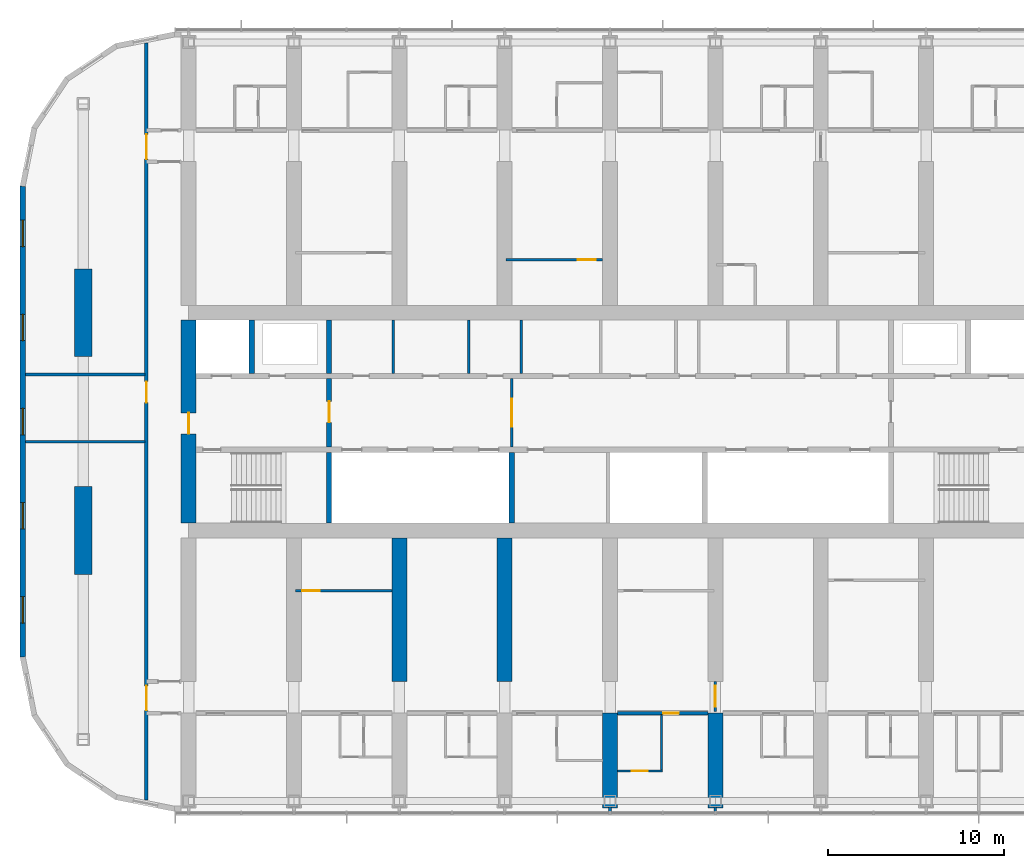
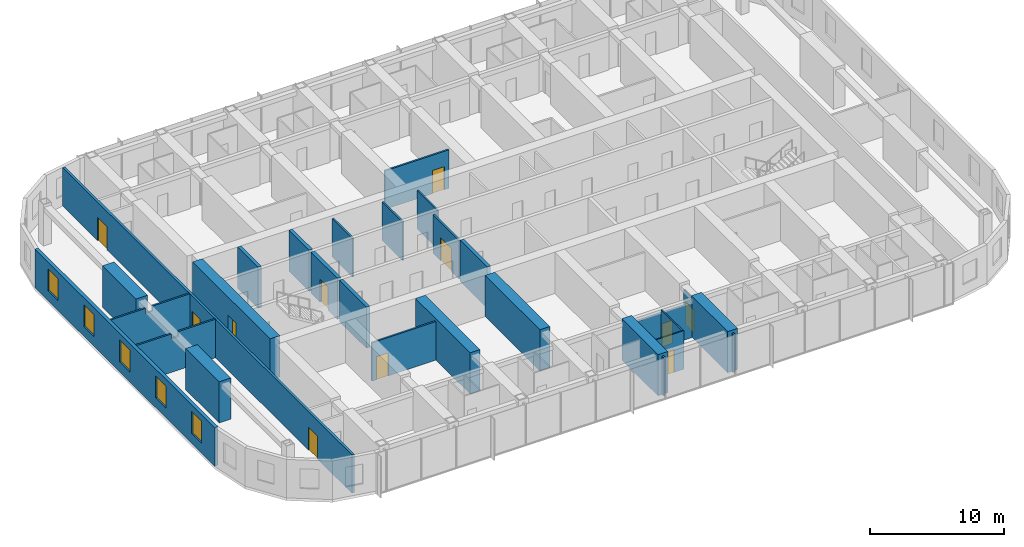
# One storey, part 11 of 22: 28 walls, 11 doors, 5 windows, 16 openings.
"""IFC4 building model written with IfcOpenShell, lengths in metres."""

from ifc_helpers import new_model, si_unit, direction, frame, frame_2d, origin, place, context, subcontext, project, spatial, polyline, rectangle, outline, extrude, material, layer, layer_set, type_object, element, fill, save


model = new_model("IFC4")

# Units and contexts
model_context = context("Model", 3, precision=1e-05, world=origin(), true_north=direction((0.0, 1.0)))
body_context = subcontext(model_context, "Body", "Model", "MODEL_VIEW")
ifc_project = project(units=[si_unit("LENGTHUNIT", "METRE"), si_unit("AREAUNIT", "SQUARE_METRE"), si_unit("VOLUMEUNIT", "CUBIC_METRE"), si_unit("PLANEANGLEUNIT", "RADIAN"), si_unit("MASSUNIT", "GRAM", prefix="KILO")], contexts=[model_context])

# Site, building, storey
site_placement = place(None, origin())
site = spatial("IfcSite", under=ifc_project, at=site_placement, CompositionType="ELEMENT")
building_placement = place(site_placement, origin())
building = spatial("IfcBuilding", under=site, at=building_placement, Name="Orbita Commons", CompositionType="ELEMENT")
storey_placement = place(building_placement, frame((0.0, 0.0, 186.10009765625)))
storey = spatial("IfcBuildingStorey", under=building, at=storey_placement, Name="L46", CompositionType="ELEMENT", Elevation=186.10009765625)

# Wall
ifc_material_1 = material(Name="Concrete C50/60", Category="concrete")
ifc_layer_1 = layer(ifc_material_1, 0.300048828125)
ifc_layer_set_1 = layer_set([ifc_layer_1], Name="Concrete C50/60")
wall_type_1 = type_object("IfcWallType", Name="Core inner wall 300 C50/60", PredefinedType="SHEAR", material=ifc_layer_set_1)
wall_1_placement = place(storey_placement, frame((26.0, 26.22509765625, 0.0), z_axis=(0.0, 0.0, 1.0), x_axis=(0.0, 1.0, 0.0)))
element("IfcWall", 1, at=wall_1_placement, inside=storey, type_object=wall_type_1, Name="Stair S1 wall L46", PredefinedType="SHEAR", context=body_context, shape_type="SweptSolid", body=[
    extrude(rectangle(XDim=4.02490234375, YDim=0.300048828125, at=frame_2d((2.012451171875, 0.0))), origin(), (0.0, 0.0, 1.0), 3.75),
])

# Wall, opening, door
wall_2_placement = place(storey_placement, frame((26.0, 30.550048828125, 0.0), z_axis=(0.0, 0.0, 1.0), x_axis=(0.0, 1.0, 0.0)))
wall_2 = element("IfcWall", 2, at=wall_2_placement, inside=storey, type_object=wall_type_1, Name="Firefighting lobby wall west L46", PredefinedType="SHEAR", context=body_context, shape_type="SweptSolid", body=[
    extrude(rectangle(XDim=3.89990234375, YDim=0.300048828125, at=frame_2d((1.949951171875, 0.0))), origin(), (0.0, 0.0, 1.0), 3.75),
])
opening_1_placement = place(wall_2_placement, frame((1.39990234375, 0.0, 0.0)))
opening_1 = element("IfcOpeningElement", 3, at=opening_1_placement, cuts=wall_2, Name="Opening D04", PredefinedType="OPENING", context=body_context, shape_type="SweptSolid", body=[
    extrude(rectangle(XDim=1.199951171875, YDim=2.10009765625, at=frame_2d((0.60009765625, 1.050048828125))), frame((0.0, 0.159912109375, 0.0), z_axis=(0.0, -1.0, 0.0), x_axis=(1.0, 0.0, 0.0)), (0.0, 0.0, 1.0), 0.320068359375),
])
ifc_material_2 = material(Name="Steel-faced fire door leaf", Category="steel")
door_type_1 = type_object("IfcDoorType", Name="Service door 20 min 1200x2100", OperationType="SINGLE_SWING_LEFT", PredefinedType="DOOR", material=ifc_material_2)
door_1_placement = place(opening_1_placement, origin())
door_1 = element("IfcDoor", 4, at=door_1_placement, inside=storey, type_object=door_type_1, Name="Lift lobby door west", OperationType="SINGLE_SWING_LEFT", OverallHeight=2.10009765625, OverallWidth=1.199951171875, PredefinedType="DOOR", context=body_context, shape_type="SweptSolid", body=[
    extrude(rectangle(XDim=1.199951171875, YDim=2.10009765625, at=frame_2d((0.60009765625, 1.050048828125))), frame((0.0, 0.02490234375, 0.0), z_axis=(0.0, -1.0, 0.0), x_axis=(1.0, 0.0, 0.0)), (0.0, 0.0, 1.0), 0.050048828125),
])
fill(opening_1, door_1)

# Walls
for number, where, z_axis, x_axis, name in (
    (5, (21.60009765625, 34.75, 0.0), (0.0, 0.0, 1.0), (0.0, 1.0, 0.0), "Firefighting lift FL1 shaft wall L46"),
    (6, (26.0, 34.75, 0.0), (0.0, 0.0, 1.0), (0.0, 1.0, 0.0), "Riser wall west L46"),
):
    element("IfcWall", number, at=place(storey_placement, frame(where, z_axis=z_axis, x_axis=x_axis)), inside=storey, type_object=wall_type_1, Name=name, PredefinedType="SHEAR", context=body_context, shape_type="SweptSolid", body=[
        extrude(rectangle(XDim=3.02490234375, YDim=0.300048828125, at=frame_2d((1.512451171875, 0.0))), origin(), (0.0, 0.0, 1.0), 3.75),
    ])
wall_3_placement = place(storey_placement, frame((36.39990234375, 26.22509765625, 0.0), z_axis=(0.0, 0.0, 1.0), x_axis=(0.0, 1.0, 0.0)))
element("IfcWall", 7, at=wall_3_placement, inside=storey, type_object=wall_type_1, Name="Hoistway division wall L46", PredefinedType="SHEAR", context=body_context, shape_type="SweptSolid", body=[
    extrude(rectangle(XDim=4.02490234375, YDim=0.300048828125, at=frame_2d((2.012451171875, 0.0))), origin(), (0.0, 0.0, 1.0), 3.75),
])

# Wall, opening, door
ifc_material_3 = material(Name="Concrete blockwork", Category="masonry")
ifc_layer_2 = layer(ifc_material_3, 0.14990234375)
ifc_layer_set_2 = layer_set([ifc_layer_2], Name="Concrete blockwork")
wall_type_2 = type_object("IfcWallType", Name="Core partition 150 blockwork", PredefinedType="SOLIDWALL", material=ifc_layer_set_2)
wall_4_placement = place(storey_placement, frame((36.39990234375, 30.550048828125, 0.0), z_axis=(0.0, 0.0, 1.0), x_axis=(0.0, 1.0, 0.0)))
wall_4 = element("IfcWall", 8, at=wall_4_placement, inside=storey, type_object=wall_type_2, Name="Core partition 150 blockwork L46", PredefinedType="SOLIDWALL", context=body_context, shape_type="SweptSolid", body=[
    extrude(rectangle(XDim=3.89990234375, YDim=0.14990234375, at=frame_2d((1.949951171875, 0.0))), origin(), (0.0, 0.0, 1.0), 3.5),
])
opening_2_placement = place(wall_4_placement, frame((1.14990234375, 0.0, 0.0)))
opening_2 = element("IfcOpeningElement", 9, at=opening_2_placement, cuts=wall_4, Name="Opening D10", PredefinedType="OPENING", context=body_context, shape_type="SweptSolid", body=[
    extrude(rectangle(XDim=1.60009765625, YDim=2.10009765625, at=frame_2d((0.800048828125, 1.050048828125))), frame((0.0, 0.0849609375, 0.0), z_axis=(0.0, -1.0, 0.0), x_axis=(1.0, 0.0, 0.0)), (0.0, 0.0, 1.0), 0.169921875),
])
ifc_material_4 = material(Name="Steel-faced fire door leaf", Category="steel")
door_type_2 = type_object("IfcDoorType", Name="Double corridor door 20 min 1600x2100", OperationType="DOUBLE_DOOR_SINGLE_SWING", PredefinedType="DOOR", material=ifc_material_4)
door_2_placement = place(opening_2_placement, origin())
door_2 = element("IfcDoor", 10, at=door_2_placement, inside=storey, type_object=door_type_2, Name="Lift lobby screen doors", OperationType="DOUBLE_DOOR_SINGLE_SWING", OverallHeight=2.10009765625, OverallWidth=1.60009765625, PredefinedType="DOOR", context=body_context, shape_type="SweptSolid", body=[
    extrude(rectangle(XDim=1.60009765625, YDim=2.10009765625, at=frame_2d((0.800048828125, 1.050048828125))), frame((0.0, 0.02490234375, 0.0), z_axis=(0.0, -1.0, 0.0), x_axis=(1.0, 0.0, 0.0)), (0.0, 0.0, 1.0), 0.050048828125),
])
fill(opening_2, door_2)

# Walls
for number, where, z_axis, x_axis, name in (
    (11, (29.65087890625, 34.75, 0.0), (0.0, 0.0, 1.0), (0.0, 1.0, 0.0), "Core partition 150 blockwork L46"),
    (12, (33.9462890625, 34.75, 0.0), (0.0, 0.0, 1.0), (0.0, 1.0, 0.0), "Core partition 150 blockwork L46"),
    (13, (36.9462890625, 34.75, 0.0), (0.0, 0.0, 1.0), (0.0, 1.0, 0.0), "Core partition 150 blockwork L46"),
):
    element("IfcWall", number, at=place(storey_placement, frame(where, z_axis=z_axis, x_axis=x_axis)), inside=storey, type_object=wall_type_2, Name=name, PredefinedType="SOLIDWALL", context=body_context, shape_type="SweptSolid", body=[
        extrude(rectangle(XDim=3.02490234375, YDim=0.14990234375, at=frame_2d((1.512451171875, 0.0))), origin(), (0.0, 0.0, 1.0), 3.5),
    ])

# Wall, opening, door
ifc_material_5 = material(Name="Concrete C50/60", Category="concrete")
ifc_layer_3 = layer(ifc_material_5, 0.85009765625)
ifc_layer_set_3 = layer_set([ifc_layer_3], Name="Concrete C50/60")
wall_type_3 = type_object("IfcWallType", Name="Core wall 850 C50/60", PredefinedType="SHEAR", material=ifc_layer_set_3)
wall_5_placement = place(storey_placement, frame((18.0, 26.22509765625, 0.0), z_axis=(0.0, 0.0, 1.0), x_axis=(0.0, 1.0, 0.0)))
wall_5 = element("IfcWall", 14, at=wall_5_placement, inside=storey, type_object=wall_type_3, Name="Core end wall west L46", PredefinedType="SHEAR", context=body_context, shape_type="SweptSolid", body=[
    extrude(rectangle(XDim=11.5498046875, YDim=0.85009765625, at=frame_2d((5.77490234375, 0.0))), origin(), (0.0, 0.0, 1.0), 3.75),
])
opening_3_placement = place(wall_5_placement, frame((5.074951171875, 0.0, 0.0)))
opening_3 = element("IfcOpeningElement", 15, at=opening_3_placement, cuts=wall_5, Name="Opening D01", PredefinedType="OPENING", context=body_context, shape_type="SweptSolid", body=[
    extrude(rectangle(XDim=1.199951171875, YDim=2.10009765625, at=frame_2d((0.60009765625, 1.050048828125))), frame((0.0, 0.43505859375, 0.0), z_axis=(0.0, -1.0, 0.0), x_axis=(1.0, 0.0, 0.0)), (0.0, 0.0, 1.0), 0.8701171875),
])
ifc_material_6 = material(Name="Steel-faced fire door leaf", Category="steel")
door_type_3 = type_object("IfcDoorType", Name="Fire door 90 min 1200x2100", OperationType="SINGLE_SWING_LEFT", PredefinedType="DOOR", material=ifc_material_6)
door_3_placement = place(opening_3_placement, origin())
door_3 = element("IfcDoor", 16, at=door_3_placement, inside=storey, type_object=door_type_3, Name="Firefighting lobby west door", OperationType="SINGLE_SWING_LEFT", OverallHeight=2.10009765625, OverallWidth=1.199951171875, PredefinedType="DOOR", context=body_context, shape_type="SweptSolid", body=[
    extrude(rectangle(XDim=1.199951171875, YDim=2.10009765625, at=frame_2d((0.60009765625, 1.050048828125))), frame((0.0, 0.02490234375, 0.0), z_axis=(0.0, -1.0, 0.0), x_axis=(1.0, 0.0, 0.0)), (0.0, 0.0, 1.0), 0.050048828125),
])
fill(opening_3, door_3)

ifc_material_7 = material(Name="Concrete blockwork", Category="masonry")
ifc_layer_4 = layer(ifc_material_7, 0.199951171875)
ifc_layer_set_4 = layer_set([ifc_layer_4], Name="Concrete blockwork")
wall_type_4 = type_object("IfcWallType", Name="Corridor wall 200 blockwork", PredefinedType="SOLIDWALL", material=ifc_layer_set_4)
wall_6_placement = place(storey_placement, frame((42.425048828125, 15.39990234375, 0.0), z_axis=(0.0, 0.0, 1.0), x_axis=(1.0, 0.0, 0.0)))
wall_6 = element("IfcWall", 17, at=wall_6_placement, inside=storey, type_object=wall_type_4, Name="Corridor wall 200 blockwork L46", PredefinedType="SOLIDWALL", context=body_context, shape_type="SweptSolid", body=[
    extrude(outline(polyline([(0.0, 0.0), (5.14990234375, 0.0), (5.14990234375, 3.099853515625), (0.0, 3.099853515625), (0.0, 0.0)])), frame((0.0, 0.10009765625, 0.0), z_axis=(0.0, -1.0, 0.0), x_axis=(1.0, 0.0, 0.0)), (0.0, 0.0, 1.0), 0.199951171875),
])
opening_4_placement = place(wall_6_placement, frame((2.60009765625, 0.0, 0.0)))
opening_4 = element("IfcOpeningElement", 18, at=opening_4_placement, cuts=wall_6, Name="Opening D11", PredefinedType="OPENING", context=body_context, shape_type="SweptSolid", body=[
    extrude(rectangle(XDim=0.89990234375, YDim=2.10009765625, at=frame_2d((0.449951171875, 1.050048828125))), frame((0.0, 0.10986328125, 0.0), z_axis=(0.0, -1.0, 0.0), x_axis=(1.0, 0.0, 0.0)), (0.0, 0.0, 1.0), 0.219970703125),
])
ifc_material_8 = material(Name="Steel-faced fire door leaf", Category="steel")
door_type_4 = type_object("IfcDoorType", Name="Corridor door 20 min 900x2100", OperationType="SINGLE_SWING_LEFT", PredefinedType="DOOR", material=ifc_material_8)
door_4_placement = place(opening_4_placement, origin())
door_4 = element("IfcDoor", 19, at=door_4_placement, inside=storey, type_object=door_type_4, Name="Twin room L46-S08 door", OperationType="SINGLE_SWING_LEFT", OverallHeight=2.10009765625, OverallWidth=0.89990234375, PredefinedType="DOOR", context=body_context, shape_type="SweptSolid", body=[
    extrude(rectangle(XDim=0.89990234375, YDim=2.10009765625, at=frame_2d((0.449951171875, 1.050048828125))), frame((0.0, 0.02490234375, 0.0), z_axis=(0.0, -1.0, 0.0), x_axis=(1.0, 0.0, 0.0)), (0.0, 0.0, 1.0), 0.050048828125),
])
fill(opening_4, door_4)

# Wall, openings, doors
wall_7_placement = place(storey_placement, frame((15.60009765625, 10.4462890625, 0.0), z_axis=(0.0, 0.0, 1.0), x_axis=(0.0, 1.0, 0.0)))
wall_7 = element("IfcWall", 20, at=wall_7_placement, inside=storey, type_object=wall_type_4, Name="Corridor wall 200 blockwork L46", PredefinedType="SOLIDWALL", context=body_context, shape_type="SweptSolid", body=[
    extrude(rectangle(XDim=43.107421875, YDim=0.199951171875, at=frame_2d((21.5537109375, 0.0))), origin(), (0.0, 0.0, 1.0), 3.5),
])
opening_5_placement = place(wall_7_placement, frame((22.6337890625, 0.0, 0.0)))
opening_5 = element("IfcOpeningElement", 21, at=opening_5_placement, cuts=wall_7, Name="Opening D15", PredefinedType="OPENING", context=body_context, shape_type="SweptSolid", body=[
    extrude(rectangle(XDim=1.199951171875, YDim=2.10009765625, at=frame_2d((0.60009765625, 1.050048828125))), frame((0.0, 0.10986328125, 0.0), z_axis=(0.0, -1.0, 0.0), x_axis=(1.0, 0.0, 0.0)), (0.0, 0.0, 1.0), 0.219970703125),
])
opening_6_placement = place(wall_7_placement, frame((5.103759765625, 0.0, 0.0)))
opening_6 = element("IfcOpeningElement", 22, at=opening_6_placement, cuts=wall_7, Name="Opening D08", PredefinedType="OPENING", context=body_context, shape_type="SweptSolid", body=[
    extrude(rectangle(XDim=1.39990234375, YDim=2.10009765625, at=frame_2d((0.699951171875, 1.050048828125))), frame((0.0, 0.10986328125, 0.0), z_axis=(0.0, -1.0, 0.0), x_axis=(1.0, 0.0, 0.0)), (0.0, 0.0, 1.0), 0.219970703125),
])
opening_7_placement = place(wall_7_placement, frame((36.50390625, 0.0, 0.0)))
opening_7 = element("IfcOpeningElement", 23, at=opening_7_placement, cuts=wall_7, Name="Opening D08", PredefinedType="OPENING", context=body_context, shape_type="SweptSolid", body=[
    extrude(rectangle(XDim=1.39990234375, YDim=2.10009765625, at=frame_2d((0.699951171875, 1.050048828125))), frame((0.0, 0.10986328125, 0.0), z_axis=(0.0, -1.0, 0.0), x_axis=(1.0, 0.0, 0.0)), (0.0, 0.0, 1.0), 0.219970703125),
])
ifc_material_9 = material(Name="Steel-faced fire door leaf", Category="steel")
door_type_5 = type_object("IfcDoorType", Name="Corridor door 20 min 1200x2100", OperationType="SINGLE_SWING_LEFT", PredefinedType="DOOR", material=ifc_material_9)
door_5_placement = place(opening_5_placement, origin())
door_5 = element("IfcDoor", 24, at=door_5_placement, inside=storey, type_object=door_type_5, Name="Study commons door", OperationType="SINGLE_SWING_LEFT", OverallHeight=2.10009765625, OverallWidth=1.199951171875, PredefinedType="DOOR", context=body_context, shape_type="SweptSolid", body=[
    extrude(rectangle(XDim=1.199951171875, YDim=2.10009765625, at=frame_2d((0.60009765625, 1.050048828125))), frame((0.0, 0.02490234375, 0.0), z_axis=(0.0, -1.0, 0.0), x_axis=(1.0, 0.0, 0.0)), (0.0, 0.0, 1.0), 0.050048828125),
])
fill(opening_5, door_5)
ifc_material_10 = material(Name="Steel-faced fire door leaf", Category="steel")
door_type_6 = type_object("IfcDoorType", Name="Double corridor door 20 min 1400x2100", OperationType="DOUBLE_DOOR_SINGLE_SWING", PredefinedType="DOOR", material=ifc_material_10)
door_6_placement = place(opening_6_placement, origin())
door_6 = element("IfcDoor", 25, at=door_6_placement, inside=storey, type_object=door_type_6, Name="Lounge doors", OperationType="DOUBLE_DOOR_SINGLE_SWING", OverallHeight=2.10009765625, OverallWidth=1.39990234375, PredefinedType="DOOR", context=body_context, shape_type="SweptSolid", body=[
    extrude(rectangle(XDim=1.39990234375, YDim=2.10009765625, at=frame_2d((0.699951171875, 1.050048828125))), frame((0.0, 0.02490234375, 0.0), z_axis=(0.0, -1.0, 0.0), x_axis=(1.0, 0.0, 0.0)), (0.0, 0.0, 1.0), 0.050048828125),
])
fill(opening_6, door_6)
door_7_placement = place(opening_7_placement, origin())
door_7 = element("IfcDoor", 26, at=door_7_placement, inside=storey, type_object=door_type_6, Name="Lounge doors", OperationType="DOUBLE_DOOR_SINGLE_SWING", OverallHeight=2.10009765625, OverallWidth=1.39990234375, PredefinedType="DOOR", context=body_context, shape_type="SweptSolid", body=[
    extrude(rectangle(XDim=1.39990234375, YDim=2.10009765625, at=frame_2d((0.699951171875, 1.050048828125))), frame((0.0, 0.02490234375, 0.0), z_axis=(0.0, -1.0, 0.0), x_axis=(1.0, 0.0, 0.0)), (0.0, 0.0, 1.0), 0.050048828125),
])
fill(opening_7, door_7)

# Walls
ifc_material_11 = material(Name="Concrete C50/60", Category="concrete")
ifc_layer_5 = layer(ifc_material_11, 0.85009765625)
ifc_layer_set_5 = layer_set([ifc_layer_5], Name="Concrete C50/60")
wall_type_5 = type_object("IfcWallType", Name="Cross wall 850 C50/60", PredefinedType="SHEAR", material=ifc_layer_set_5)
for number, where, z_axis, x_axis, name in (
    (27, (30.0, 17.199951171875, 0.0), (0.0, 0.0, 1.0), (0.0, 1.0, 0.0), "Cross wall 6 south inner L46"),
    (28, (36.0, 17.199951171875, 0.0), (0.0, 0.0, 1.0), (0.0, 1.0, 0.0), "Cross wall 7 south inner L46"),
):
    element("IfcWall", number, at=place(storey_placement, frame(where, z_axis=z_axis, x_axis=x_axis)), inside=storey, type_object=wall_type_5, Name=name, PredefinedType="SHEAR", context=body_context, shape_type="SweptSolid", body=[
        extrude(rectangle(XDim=8.175048828125, YDim=0.85009765625, at=frame_2d((4.08740234375, 0.0))), origin(), (0.0, 0.0, 1.0), 3.75),
    ])
for number, where, z_axis, x_axis, name in (
    (29, (42.0, 10.0, 0.0), (0.0, 0.0, 1.0), (0.0, 1.0, 0.0), "Cross wall 8 south outer L46"),
    (30, (48.0, 10.0, 0.0), (0.0, 0.0, 1.0), (0.0, 1.0, 0.0), "Cross wall 9 south outer L46"),
):
    element("IfcWall", number, at=place(storey_placement, frame(where, z_axis=z_axis, x_axis=x_axis)), inside=storey, type_object=wall_type_5, Name=name, PredefinedType="SHEAR", context=body_context, shape_type="SweptSolid", body=[
        extrude(rectangle(XDim=5.39990234375, YDim=0.85009765625, at=frame_2d((2.699951171875, 0.0))), origin(), (0.0, 0.0, 1.0), 3.75),
    ])

# Wall, opening, door
ifc_material_12 = material(Name="Moisture-resistant plasterboard on steel studs", Category="steel")
ifc_layer_6 = layer(ifc_material_12, 0.10009765625)
ifc_layer_set_6 = layer_set([ifc_layer_6], Name="Moisture-resistant plasterboard on steel studs")
wall_type_6 = type_object("IfcWallType", Name="En-suite partition 100", PredefinedType="PARTITIONING", material=ifc_layer_set_6)
wall_8_placement = place(storey_placement, frame((44.97509765625, 12.10009765625, 0.0), z_axis=(0.0, 0.0, 1.0), x_axis=(-1.0, 0.0, 0.0)))
wall_8 = element("IfcWall", 31, at=wall_8_placement, inside=storey, type_object=wall_type_6, Name="En-suite partition 100 L46", PredefinedType="PARTITIONING", context=body_context, shape_type="SweptSolid", body=[
    extrude(rectangle(XDim=2.550048828125, YDim=0.10009765625, at=frame_2d((1.27490234375, 0.0))), origin(), (0.0, 0.0, 1.0), 3.5),
])
opening_8_placement = place(wall_8_placement, frame((0.824951171875, 0.0, 0.0)))
opening_8 = element("IfcOpeningElement", 32, at=opening_8_placement, cuts=wall_8, Name="Opening D09", PredefinedType="OPENING", context=body_context, shape_type="SweptSolid", body=[
    extrude(rectangle(XDim=0.89990234375, YDim=2.10009765625, at=frame_2d((0.449951171875, 1.050048828125))), frame((0.0, 0.06005859375, 0.0), z_axis=(0.0, -1.0, 0.0), x_axis=(1.0, 0.0, 0.0)), (0.0, 0.0, 1.0), 0.1201171875),
])
ifc_material_13 = material(Name="Laminated timber door leaf", Category="wood")
door_type_7 = type_object("IfcDoorType", Name="En-suite door 900x2100", OperationType="SINGLE_SWING_RIGHT", PredefinedType="DOOR", material=ifc_material_13)
door_8_placement = place(opening_8_placement, origin())
door_8 = element("IfcDoor", 33, at=door_8_placement, inside=storey, type_object=door_type_7, Name="En-suite L46-S08 door", OperationType="SINGLE_SWING_RIGHT", OverallHeight=2.10009765625, OverallWidth=0.89990234375, PredefinedType="DOOR", context=body_context, shape_type="SweptSolid", body=[
    extrude(rectangle(XDim=0.89990234375, YDim=2.10009765625, at=frame_2d((0.449951171875, 1.050048828125))), frame((0.0, 0.02490234375, 0.0), z_axis=(0.0, -1.0, 0.0), x_axis=(1.0, 0.0, 0.0)), (0.0, 0.0, 1.0), 0.050048828125),
])
fill(opening_8, door_8)

# Walls
wall_9_placement = place(storey_placement, frame((44.925048828125, 12.14990234375, 0.0), z_axis=(0.0, 0.0, 1.0), x_axis=(0.0, 1.0, 0.0)))
element("IfcWall", 34, at=wall_9_placement, inside=storey, type_object=wall_type_6, Name="En-suite partition 100 L46", PredefinedType="PARTITIONING", context=body_context, shape_type="SweptSolid", body=[
    extrude(outline(polyline([(0.0, 0.0), (3.150146484375, 0.0), (3.14990234375, 3.099853515625), (3.10205078125, 3.099853515625), (3.10009765625, 3.5), (0.0, 3.5), (0.0, 0.0)])), frame((0.0, 0.050048828125, 0.0), z_axis=(0.0, -1.0, 0.0), x_axis=(1.0, 0.0, 0.0)), (0.0, 0.0, 1.0), 0.10009765625),
])
ifc_material_14 = material(Name="Concrete C50/60", Category="concrete")
ifc_layer_7 = layer(ifc_material_14, 1.0)
ifc_layer_set_7 = layer_set([ifc_layer_7], Name="Concrete C50/60")
wall_type_7 = type_object("IfcWallType", Name="End pier 1000x5000 C50/60", PredefinedType="SHEAR", material=ifc_layer_set_7)
for number, where, z_axis, x_axis, name in (
    (35, (12.0, 23.300048828125, 0.0), (0.0, 0.0, 1.0), (0.0, 1.0, 0.0), "End pier 3/C L46"),
    (36, (12.0, 35.699951171875, 0.0), (0.0, 0.0, 1.0), (0.0, 1.0, 0.0), "End pier 3/D L46"),
):
    element("IfcWall", number, at=place(storey_placement, frame(where, z_axis=z_axis, x_axis=x_axis)), inside=storey, type_object=wall_type_7, Name=name, PredefinedType="SHEAR", context=body_context, shape_type="SweptSolid", body=[
        extrude(rectangle(XDim=5.0, YDim=1.0, at=frame_2d((2.5, 0.0))), origin(), (0.0, 0.0, 1.0), 3.75),
    ])

# Wall, opening, door
ifc_material_15 = material(Name="Gypsum plasterboard on steel studs", Category="steel")
ifc_layer_8 = layer(ifc_material_15, 0.14990234375)
ifc_layer_set_8 = layer_set([ifc_layer_8], Name="Gypsum plasterboard on steel studs")
wall_type_8 = type_object("IfcWallType", Name="Partition 150 plasterboard", PredefinedType="PARTITIONING", material=ifc_layer_set_8)
wall_10_placement = place(storey_placement, frame((24.074951171875, 22.375, 0.0), z_axis=(0.0, 0.0, 1.0), x_axis=(1.0, 0.0, 0.0)))
wall_10 = element("IfcWall", 37, at=wall_10_placement, inside=storey, type_object=wall_type_8, Name="Partition 150 plasterboard L46", PredefinedType="PARTITIONING", context=body_context, shape_type="SweptSolid", body=[
    extrude(rectangle(XDim=5.5, YDim=0.14990234375, at=frame_2d((2.75, 0.0))), origin(), (0.0, 0.0, 1.0), 3.5),
])
opening_9_placement = place(wall_10_placement, frame((0.39990234375, 0.0, 0.0)))
opening_9 = element("IfcOpeningElement", 38, at=opening_9_placement, cuts=wall_10, Name="Opening D17", PredefinedType="OPENING", context=body_context, shape_type="SweptSolid", body=[
    extrude(rectangle(XDim=1.0, YDim=2.10009765625, at=frame_2d((0.5, 1.050048828125))), frame((0.0, 0.0849609375, 0.0), z_axis=(0.0, -1.0, 0.0), x_axis=(1.0, 0.0, 0.0)), (0.0, 0.0, 1.0), 0.169921875),
])
ifc_material_16 = material(Name="Steel-faced fire door leaf", Category="steel")
door_type_8 = type_object("IfcDoorType", Name="Shaft access door 90 min 1000x2100", OperationType="SINGLE_SWING_LEFT", PredefinedType="DOOR", material=ifc_material_16)
door_9_placement = place(opening_9_placement, origin())
door_9 = element("IfcDoor", 39, at=door_9_placement, inside=storey, type_object=door_type_8, Name="Ventilation plant room south L46-BDS24 door", OperationType="SINGLE_SWING_LEFT", OverallHeight=2.10009765625, OverallWidth=1.0, PredefinedType="DOOR", context=body_context, shape_type="SweptSolid", body=[
    extrude(rectangle(XDim=1.0, YDim=2.10009765625, at=frame_2d((0.5, 1.050048828125))), frame((0.0, 0.02490234375, 0.0), z_axis=(0.0, -1.0, 0.0), x_axis=(1.0, 0.0, 0.0)), (0.0, 0.0, 1.0), 0.050048828125),
])
fill(opening_9, door_9)

wall_11_placement = place(storey_placement, frame((41.574951171875, 41.22509765625, 0.0), z_axis=(0.0, 0.0, 1.0), x_axis=(-1.0, 0.0, 0.0)))
wall_11 = element("IfcWall", 40, at=wall_11_placement, inside=storey, type_object=wall_type_8, Name="Partition 150 plasterboard L46", PredefinedType="PARTITIONING", context=body_context, shape_type="SweptSolid", body=[
    extrude(rectangle(XDim=5.5, YDim=0.14990234375, at=frame_2d((2.75, 0.0))), origin(), (0.0, 0.0, 1.0), 3.5),
])
opening_10_placement = place(wall_11_placement, frame((0.39990234375, 0.0, 0.0)))
opening_10 = element("IfcOpeningElement", 41, at=opening_10_placement, cuts=wall_11, Name="Opening D17", PredefinedType="OPENING", context=body_context, shape_type="SweptSolid", body=[
    extrude(rectangle(XDim=1.0, YDim=2.10009765625, at=frame_2d((0.5, 1.050048828125))), frame((0.0, 0.0849609375, 0.0), z_axis=(0.0, -1.0, 0.0), x_axis=(1.0, 0.0, 0.0)), (0.0, 0.0, 1.0), 0.169921875),
])
door_10_placement = place(opening_10_placement, origin())
door_10 = element("IfcDoor", 42, at=door_10_placement, inside=storey, type_object=door_type_8, Name="Electrical and data room L46-BDN36 door", OperationType="SINGLE_SWING_LEFT", OverallHeight=2.10009765625, OverallWidth=1.0, PredefinedType="DOOR", context=body_context, shape_type="SweptSolid", body=[
    extrude(rectangle(XDim=1.0, YDim=2.10009765625, at=frame_2d((0.5, 1.050048828125))), frame((0.0, 0.02490234375, 0.0), z_axis=(0.0, -1.0, 0.0), x_axis=(1.0, 0.0, 0.0)), (0.0, 0.0, 1.0), 0.050048828125),
])
fill(opening_10, door_10)

wall_12_placement = place(storey_placement, frame((48.0, 15.5, 0.0), z_axis=(0.0, 0.0, 1.0), x_axis=(0.0, 1.0, 0.0)))
wall_12 = element("IfcWall", 43, at=wall_12_placement, inside=storey, type_object=wall_type_8, Name="Partition 150 plasterboard L46", PredefinedType="PARTITIONING", context=body_context, shape_type="SweptSolid", body=[
    extrude(outline(polyline([(0.0, 0.0), (1.699951171875, 0.0), (1.699951171875, 3.099853515625), (0.0, 3.099853515625), (0.0, 0.0)])), frame((0.0, 0.074951171875, 0.0), z_axis=(0.0, -1.0, 0.0), x_axis=(1.0, 0.0, 0.0)), (0.0, 0.0, 1.0), 0.14990234375),
])
opening_11_placement = place(wall_12_placement, frame((0.25, 0.0, 0.0)))
opening_11 = element("IfcOpeningElement", 44, at=opening_11_placement, cuts=wall_12, Name="Opening D12", PredefinedType="OPENING", context=body_context, shape_type="SweptSolid", body=[
    extrude(rectangle(XDim=1.199951171875, YDim=2.10009765625, at=frame_2d((0.60009765625, 1.050048828125))), frame((0.0, 0.0849609375, 0.0), z_axis=(0.0, -1.0, 0.0), x_axis=(1.0, 0.0, 0.0)), (0.0, 0.0, 1.0), 0.169921875),
])
ifc_material_17 = material(Name="Steel-faced fire door leaf", Category="steel")
door_type_9 = type_object("IfcDoorType", Name="Double corridor door 20 min 1200x2100", OperationType="DOUBLE_DOOR_SINGLE_SWING", PredefinedType="DOOR", material=ifc_material_17)
door_11_placement = place(opening_11_placement, origin())
door_11 = element("IfcDoor", 45, at=door_11_placement, inside=storey, type_object=door_type_9, Name="Social spine south screen doors", OperationType="DOUBLE_DOOR_SINGLE_SWING", OverallHeight=2.10009765625, OverallWidth=1.199951171875, PredefinedType="DOOR", context=body_context, shape_type="SweptSolid", body=[
    extrude(rectangle(XDim=1.199951171875, YDim=2.10009765625, at=frame_2d((0.60009765625, 1.050048828125))), frame((0.0, 0.02490234375, 0.0), z_axis=(0.0, -1.0, 0.0), x_axis=(1.0, 0.0, 0.0)), (0.0, 0.0, 1.0), 0.050048828125),
])
fill(opening_11, door_11)

# Walls
for number, where, z_axis, x_axis, name in (
    (46, (8.705078125, 30.85009765625, 0.0), (0.0, 0.0, 1.0), (1.0, 0.0, 0.0), "Partition 150 plasterboard L46"),
    (47, (8.705078125, 34.679931640625, 0.0), (0.0, 0.0, 1.0), (1.0, 0.0, 0.0), "Partition 150 plasterboard L46"),
):
    element("IfcWall", number, at=place(storey_placement, frame(where, z_axis=z_axis, x_axis=x_axis)), inside=storey, type_object=wall_type_8, Name=name, PredefinedType="PARTITIONING", context=body_context, shape_type="SweptSolid", body=[
        extrude(outline(polyline([(0.0, 0.0), (6.81982421875, 0.0), (6.820068359375, 3.5), (3.596923828125, 3.5), (3.594970703125, 3.0498046875), (2.9970703125, 3.0498046875), (2.9951171875, 3.5), (0.0, 3.5), (0.0, 0.0)])), frame((0.0, 0.074951171875, 0.0), z_axis=(0.0, -1.0, 0.0), x_axis=(1.0, 0.0, 0.0)), (0.0, 0.0, 1.0), 0.14990234375),
    ])
for number, where, z_axis, x_axis, name in (
    (48, (42.0, 10.050048828125, 0.0), (0.0, 0.0, 1.0), (0.0, -1.0, 0.0), "Partition 150 plasterboard L46"),
    (49, (48.0, 10.050048828125, 0.0), (0.0, 0.0, 1.0), (0.0, -1.0, 0.0), "Partition 150 plasterboard L46"),
):
    element("IfcWall", number, at=place(storey_placement, frame(where, z_axis=z_axis, x_axis=x_axis)), inside=storey, type_object=wall_type_8, Name=name, PredefinedType="PARTITIONING", context=body_context, shape_type="SweptSolid", body=[
        extrude(rectangle(XDim=0.239990234375, YDim=0.14990234375, at=frame_2d((0.1201171875, 0.0))), origin(), (0.0, 0.0, 1.0), 3.5),
    ])

# Wall, openings, windows
ifc_material_18 = material(Name="Precast concrete C40/50, white board-marked finish", Category="concrete")
ifc_layer_9 = layer(ifc_material_18, 0.300048828125)
ifc_layer_set_9 = layer_set([ifc_layer_9], Name="Precast concrete C40/50, white board-marked finish")
wall_type_9 = type_object("IfcWallType", Name="Precast concrete end shield 300", PredefinedType="SOLIDWALL", material=ifc_layer_set_9)
wall_13_placement = place(storey_placement, frame((8.550048828125, 45.39990234375, 0.0), z_axis=(0.0, 0.0, 1.0), x_axis=(0.0, -1.0, 0.0)))
wall_13 = element("IfcWall", 50, at=wall_13_placement, inside=storey, type_object=wall_type_9, Name="End shield W L46", PredefinedType="SOLIDWALL", context=body_context, shape_type="SweptSolid", body=[
    extrude(outline(polyline([(-0.014892578125, -0.14990234375), (26.814697265625, -0.14990234375), (26.784912109375, 0.14990234375), (0.014892578125, 0.14990234375), (-0.014892578125, -0.14990234375)])), origin(), (0.0, 0.0, 1.0), 3.5),
])
opening_12_placement = place(wall_13_placement, frame((1.929931640625, 0.0, 0.89990234375)))
opening_12 = element("IfcOpeningElement", 51, at=opening_12_placement, cuts=wall_13, Name="Opening W01", PredefinedType="OPENING", context=body_context, shape_type="SweptSolid", body=[
    extrude(rectangle(XDim=1.5, YDim=2.0, at=frame_2d((0.75, 1.0))), frame((0.0, 0.159912109375, 0.0), z_axis=(0.0, -1.0, 0.0), x_axis=(1.0, 0.0, 0.0)), (0.0, 0.0, 1.0), 0.320068359375),
])
opening_13_placement = place(wall_13_placement, frame((7.2900390625, 0.0, 0.89990234375)))
opening_13 = element("IfcOpeningElement", 52, at=opening_13_placement, cuts=wall_13, Name="Opening W01", PredefinedType="OPENING", context=body_context, shape_type="SweptSolid", body=[
    extrude(rectangle(XDim=1.5, YDim=2.0, at=frame_2d((0.75, 1.0))), frame((0.0, 0.159912109375, 0.0), z_axis=(0.0, -1.0, 0.0), x_axis=(1.0, 0.0, 0.0)), (0.0, 0.0, 1.0), 0.320068359375),
])
opening_14_placement = place(wall_13_placement, frame((12.64990234375, 0.0, 0.89990234375)))
opening_14 = element("IfcOpeningElement", 53, at=opening_14_placement, cuts=wall_13, Name="Opening W01", PredefinedType="OPENING", context=body_context, shape_type="SweptSolid", body=[
    extrude(rectangle(XDim=1.5, YDim=2.0, at=frame_2d((0.75, 1.0))), frame((0.0, 0.159912109375, 0.0), z_axis=(0.0, -1.0, 0.0), x_axis=(1.0, 0.0, 0.0)), (0.0, 0.0, 1.0), 0.320068359375),
])
opening_15_placement = place(wall_13_placement, frame((18.010009765625, 0.0, 0.89990234375)))
opening_15 = element("IfcOpeningElement", 54, at=opening_15_placement, cuts=wall_13, Name="Opening W01", PredefinedType="OPENING", context=body_context, shape_type="SweptSolid", body=[
    extrude(rectangle(XDim=1.5, YDim=2.0, at=frame_2d((0.75, 1.0))), frame((0.0, 0.159912109375, 0.0), z_axis=(0.0, -1.0, 0.0), x_axis=(1.0, 0.0, 0.0)), (0.0, 0.0, 1.0), 0.320068359375),
])
opening_16_placement = place(wall_13_placement, frame((23.3701171875, 0.0, 0.89990234375)))
opening_16 = element("IfcOpeningElement", 55, at=opening_16_placement, cuts=wall_13, Name="Opening W01", PredefinedType="OPENING", context=body_context, shape_type="SweptSolid", body=[
    extrude(rectangle(XDim=1.5, YDim=2.0, at=frame_2d((0.75, 1.0))), frame((0.0, 0.159912109375, 0.0), z_axis=(0.0, -1.0, 0.0), x_axis=(1.0, 0.0, 0.0)), (0.0, 0.0, 1.0), 0.320068359375),
])
ifc_material_19 = material(Name="Aluminium frame, clear double glazing", Category="aluminium")
window_type = type_object("IfcWindowType", Name="Deep-set window 1500x2000", PartitioningType="SINGLE_PANEL", PredefinedType="WINDOW", material=ifc_material_19)
window_1_placement = place(opening_12_placement, origin())
window_1 = element("IfcWindow", 56, at=window_1_placement, inside=storey, type_object=window_type, Name="Window L46-W 1", OverallHeight=2.0, OverallWidth=1.5, PartitioningType="SINGLE_PANEL", PredefinedType="WINDOW", context=body_context, shape_type="SweptSolid", body=[
    extrude(rectangle(XDim=1.5, YDim=2.0, at=frame_2d((0.75, 1.0))), frame((0.0, 0.030029296875, 0.0), z_axis=(0.0, -1.0, 0.0), x_axis=(1.0, 0.0, 0.0)), (0.0, 0.0, 1.0), 0.06005859375),
])
fill(opening_12, window_1)
window_2_placement = place(opening_13_placement, origin())
window_2 = element("IfcWindow", 57, at=window_2_placement, inside=storey, type_object=window_type, Name="Window L46-W 2", OverallHeight=2.0, OverallWidth=1.5, PartitioningType="SINGLE_PANEL", PredefinedType="WINDOW", context=body_context, shape_type="SweptSolid", body=[
    extrude(rectangle(XDim=1.5, YDim=2.0, at=frame_2d((0.75, 1.0))), frame((0.0, 0.030029296875, 0.0), z_axis=(0.0, -1.0, 0.0), x_axis=(1.0, 0.0, 0.0)), (0.0, 0.0, 1.0), 0.06005859375),
])
fill(opening_13, window_2)
window_3_placement = place(opening_14_placement, origin())
window_3 = element("IfcWindow", 58, at=window_3_placement, inside=storey, type_object=window_type, Name="Window L46-W 3", OverallHeight=2.0, OverallWidth=1.5, PartitioningType="SINGLE_PANEL", PredefinedType="WINDOW", context=body_context, shape_type="SweptSolid", body=[
    extrude(rectangle(XDim=1.5, YDim=2.0, at=frame_2d((0.75, 1.0))), frame((0.0, 0.030029296875, 0.0), z_axis=(0.0, -1.0, 0.0), x_axis=(1.0, 0.0, 0.0)), (0.0, 0.0, 1.0), 0.06005859375),
])
fill(opening_14, window_3)
window_4_placement = place(opening_15_placement, origin())
window_4 = element("IfcWindow", 59, at=window_4_placement, inside=storey, type_object=window_type, Name="Window L46-W 4", OverallHeight=2.0, OverallWidth=1.5, PartitioningType="SINGLE_PANEL", PredefinedType="WINDOW", context=body_context, shape_type="SweptSolid", body=[
    extrude(rectangle(XDim=1.5, YDim=2.0, at=frame_2d((0.75, 1.0))), frame((0.0, 0.030029296875, 0.0), z_axis=(0.0, -1.0, 0.0), x_axis=(1.0, 0.0, 0.0)), (0.0, 0.0, 1.0), 0.06005859375),
])
fill(opening_15, window_4)
window_5_placement = place(opening_16_placement, origin())
window_5 = element("IfcWindow", 60, at=window_5_placement, inside=storey, type_object=window_type, Name="Window L46-W 5", OverallHeight=2.0, OverallWidth=1.5, PartitioningType="SINGLE_PANEL", PredefinedType="WINDOW", context=body_context, shape_type="SweptSolid", body=[
    extrude(rectangle(XDim=1.5, YDim=2.0, at=frame_2d((0.75, 1.0))), frame((0.0, 0.030029296875, 0.0), z_axis=(0.0, -1.0, 0.0), x_axis=(1.0, 0.0, 0.0)), (0.0, 0.0, 1.0), 0.06005859375),
])
fill(opening_16, window_5)

save(model, "model.ifc")
